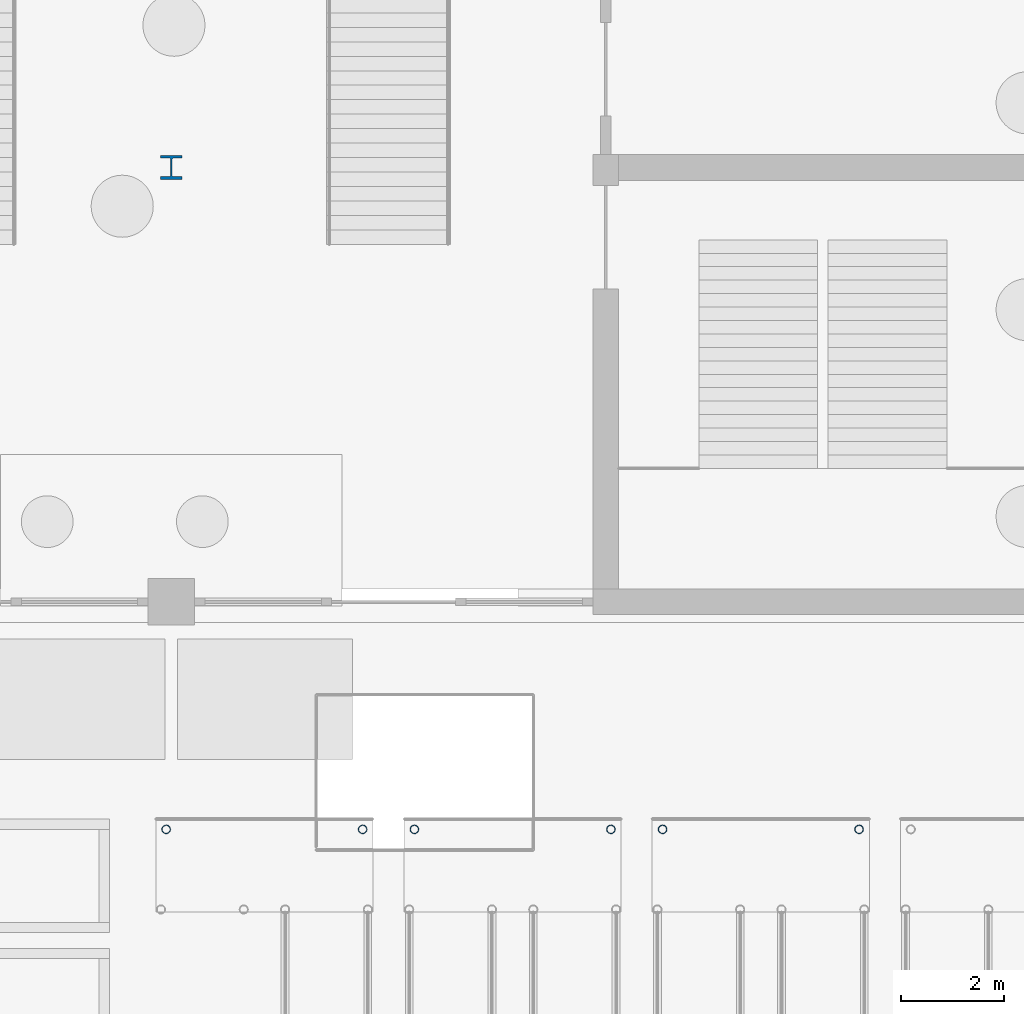
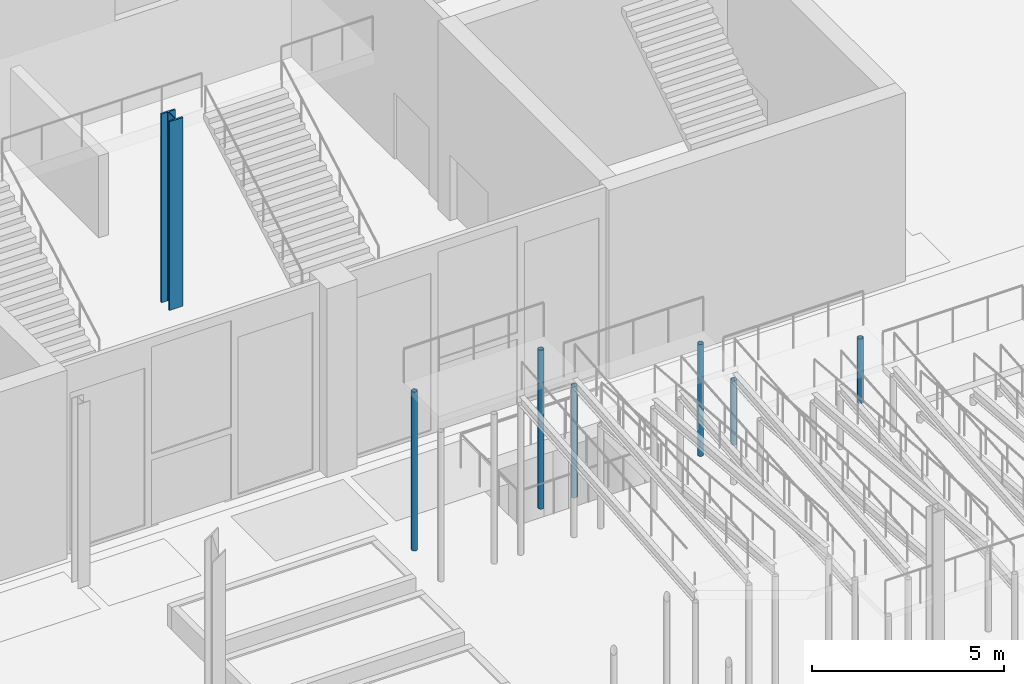
# One storey, part 25 of 108: 7 columns.
"""IFC4 building model written with IfcOpenShell, lengths in metres."""

from ifc_helpers import new_model, si_unit, direction, frame, origin, origin_2d, place, context, subcontext, project, spatial, hollow_circle, i_section, extrude, material, material_profile, profile_set, type_object, element, save


model = new_model("IFC4")

# Units and contexts
model_context = context("Model", 3, precision=1e-05, world=origin(), true_north=direction((0.0, 1.0)))
body_context = subcontext(model_context, "Body", "Model", "MODEL_VIEW")
ifc_project = project(units=[si_unit("LENGTHUNIT", "METRE"), si_unit("AREAUNIT", "SQUARE_METRE"), si_unit("VOLUMEUNIT", "CUBIC_METRE"), si_unit("PLANEANGLEUNIT", "RADIAN"), si_unit("MASSUNIT", "GRAM", prefix="KILO")], contexts=[model_context])

# Site, building, storey
site_placement = place(None, origin())
site = spatial("IfcSite", under=ifc_project, at=site_placement, CompositionType="ELEMENT")
building_placement = place(site_placement, origin())
building = spatial("IfcBuilding", under=site, at=building_placement, Name="Cresset Court Congress Hotel", CompositionType="ELEMENT")
storey_placement = place(building_placement, origin())
storey = spatial("IfcBuildingStorey", under=building, at=storey_placement, Name="L00", CompositionType="ELEMENT", Elevation=0.0)

# Columns
ifc_material_1 = material(Name="Structural steel Q355B", Category="steel")
ifc_material_profile_1 = material_profile(ifc_material_1, hollow_circle(Radius=0.083984375, WallThickness=0.008056640625, at=origin_2d()), Name="CHS168x8")
ifc_profile_set_1 = profile_set([ifc_material_profile_1], Name="Structural steel Q355B")
column_type_1 = type_object("IfcColumnType", Name="Canopy post CHS168x8", PredefinedType="COLUMN", material=ifc_profile_set_1)
for number, where, z_axis, x_axis, name in (
    (1, (100.699951171875, 54.39990234375, 0.0), (0.0, 0.0, 1.0), (1.0, 0.0, 0.0), "Ramp post 25"),
    (2, (104.5, 54.39990234375, 0.0), (0.0, 0.0, 1.0), (1.0, 0.0, 0.0), "Ramp post 26"),
):
    element("IfcColumn", number, at=place(storey_placement, frame(where, z_axis=z_axis, x_axis=x_axis)), inside=storey, type_object=column_type_1, Name=name, PredefinedType="COLUMN", context=body_context, shape_type="SweptSolid", body=[
        extrude(hollow_circle(Radius=0.083984375, WallThickness=0.008056640625, at=origin_2d()), origin(), (0.0, 0.0, 1.0), 5.050048828125),
    ])
for number, where, z_axis, x_axis, name in (
    (3, (105.5, 54.39990234375, 0.0), (0.0, 0.0, 1.0), (1.0, 0.0, 0.0), "Ramp post 45"),
    (4, (109.300048828125, 54.39990234375, 0.0), (0.0, 0.0, 1.0), (1.0, 0.0, 0.0), "Ramp post 46"),
):
    element("IfcColumn", number, at=place(storey_placement, frame(where, z_axis=z_axis, x_axis=x_axis)), inside=storey, type_object=column_type_1, Name=name, PredefinedType="COLUMN", context=body_context, shape_type="SweptSolid", body=[
        extrude(hollow_circle(Radius=0.083984375, WallThickness=0.008056640625, at=origin_2d()), origin(), (0.0, 0.0, 1.0), 3.550048828125),
    ])
for number, where, z_axis, x_axis, name in (
    (5, (110.300048828125, 54.39990234375, 0.0), (0.0, 0.0, 1.0), (1.0, 0.0, 0.0), "Ramp post 65"),
    (6, (114.10009765625, 54.39990234375, 0.0), (0.0, 0.0, 1.0), (1.0, 0.0, 0.0), "Ramp post 66"),
):
    element("IfcColumn", number, at=place(storey_placement, frame(where, z_axis=z_axis, x_axis=x_axis)), inside=storey, type_object=column_type_1, Name=name, PredefinedType="COLUMN", context=body_context, shape_type="SweptSolid", body=[
        extrude(hollow_circle(Radius=0.083984375, WallThickness=0.008056640625, at=origin_2d()), origin(), (0.0, 0.0, 1.0), 2.050048828125),
    ])
ifc_material_2 = material(Name="Structural steel Q355B", Category="steel")
ifc_material_profile_2 = material_profile(ifc_material_2, i_section(OverallWidth=0.4169921875, OverallDepth=0.4580078125, WebThickness=0.030029296875, FlangeThickness=0.050048828125, FilletRadius=0.02197265625, at=origin_2d()), Name="HW458x417x30x50")
ifc_profile_set_2 = profile_set([ifc_material_profile_2], Name="Structural steel Q355B")
column_type_2 = type_object("IfcColumnType", Name="Steel HW458x417x30x50 lower column", PredefinedType="COLUMN", material=ifc_profile_set_2)
column_placement = place(storey_placement, frame((100.800048828125, 67.199951171875, 0.0), z_axis=(0.0, 0.0, 1.0), x_axis=(1.0, 0.0, 0.0)))
element("IfcColumn", 7, at=column_placement, inside=storey, type_object=column_type_2, Name="Column CC-F100", PredefinedType="COLUMN", context=body_context, shape_type="SweptSolid", body=[
    extrude(i_section(OverallWidth=0.4169921875, OverallDepth=0.4580078125, WebThickness=0.030029296875, FlangeThickness=0.050048828125, FilletRadius=0.02197265625, at=origin_2d()), origin(), (0.0, 0.0, 1.0), 6.0),
])

save(model, "model.ifc")
